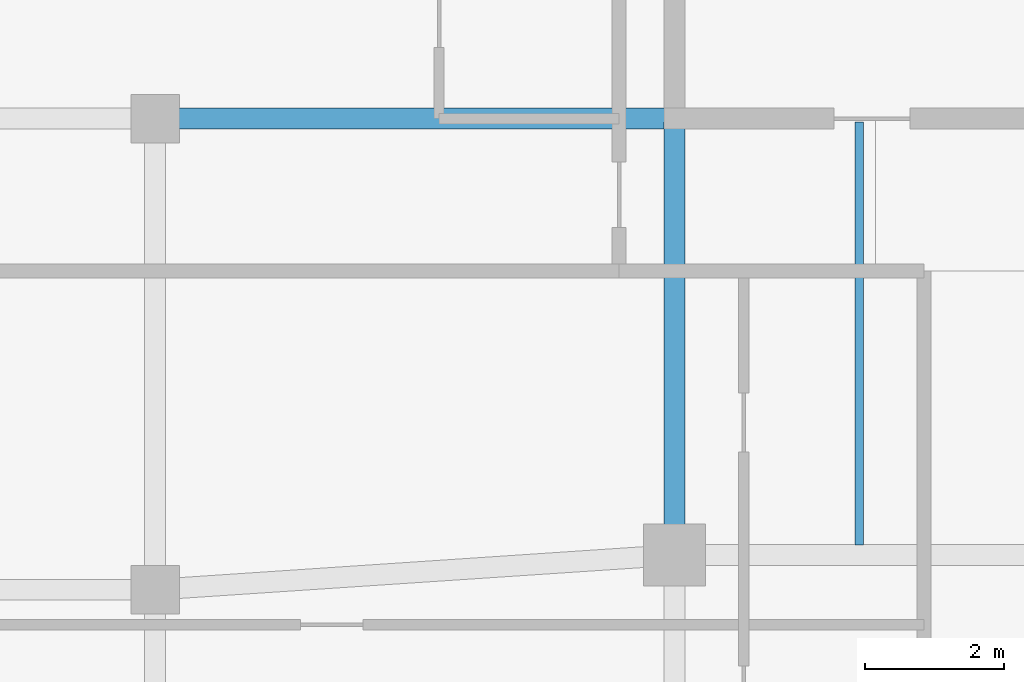
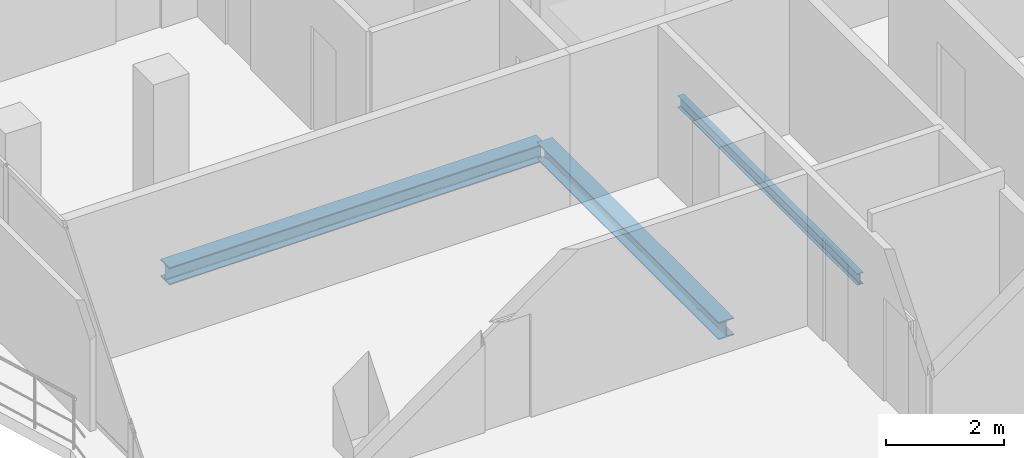
# One storey, part 11 of 22: 3 beams.
"""IFC4 building model written with IfcOpenShell, lengths in metres."""

from ifc_helpers import new_model, si_unit, direction, frame, origin, origin_2d, place, context, subcontext, project, spatial, i_section, extrude, material, material_profile, profile_set, type_object, element, save


model = new_model("IFC4")

# Units and contexts
model_context = context("Model", 3, precision=1e-05, world=origin(), true_north=direction((0.0, 1.0)))
body_context = subcontext(model_context, "Body", "Model", "MODEL_VIEW")
ifc_project = project(units=[si_unit("LENGTHUNIT", "METRE"), si_unit("AREAUNIT", "SQUARE_METRE"), si_unit("VOLUMEUNIT", "CUBIC_METRE"), si_unit("PLANEANGLEUNIT", "RADIAN"), si_unit("MASSUNIT", "GRAM", prefix="KILO")], contexts=[model_context])

# Site, building, storey
site_placement = place(None, origin())
site = spatial("IfcSite", under=ifc_project, at=site_placement, CompositionType="ELEMENT")
building_placement = place(site_placement, origin())
building = spatial("IfcBuilding", under=site, at=building_placement, Name="Catumbela Crestline Tower", CompositionType="ELEMENT")
storey_placement = place(building_placement, frame((0.0, 0.0, 256.4)))
storey = spatial("IfcBuildingStorey", under=building, at=storey_placement, Name="L66", CompositionType="ELEMENT", Elevation=256.4)

# Beams
ifc_material = material(Name="Structural steel S355J2", Category="steel")
ifc_material_profile_1 = material_profile(ifc_material, i_section(OverallWidth=0.3, OverallDepth=0.36, WebThickness=0.0125, FlangeThickness=0.0225, FilletRadius=0.027, at=origin_2d()), Name="HEB 360")
ifc_profile_set_1 = profile_set([ifc_material_profile_1], Name="Structural steel S355J2")
beam_type_1 = type_object("IfcBeamType", Name="BG-HEB360", PredefinedType="BEAM", material=ifc_profile_set_1)
beam_1_placement = place(storey_placement, frame((8.58, 30.8, -0.44), z_axis=(1.0, 0.0, 0.0), x_axis=(0.0, 1.0, 0.0)))
element("IfcBeam", 1, at=beam_1_placement, inside=storey, type_object=beam_type_1, Name="L66 Beam BM-L66-M07", PredefinedType="BEAM", context=body_context, shape_type="SweptSolid", body=[
    extrude(i_section(OverallWidth=0.3, OverallDepth=0.36, WebThickness=0.0125, FlangeThickness=0.0225, FilletRadius=0.027, at=origin_2d()), origin(), (0.0, 0.0, 1.0), 7.37),
])
beam_2_placement = place(storey_placement, frame((16.0, 24.58, -0.44), z_axis=(0.0, 1.0, 0.0), x_axis=(-1.0, 0.0, 0.0)))
element("IfcBeam", 2, at=beam_2_placement, inside=storey, type_object=beam_type_1, Name="L66 Beam BM-L66-SNS15", PredefinedType="BEAM", context=body_context, shape_type="SweptSolid", body=[
    extrude(i_section(OverallWidth=0.3, OverallDepth=0.36, WebThickness=0.0125, FlangeThickness=0.0225, FilletRadius=0.027, at=origin_2d()), origin(), (0.0, 0.0, 1.0), 6.17),
])
ifc_material_profile_2 = material_profile(ifc_material, i_section(OverallWidth=0.12, OverallDepth=0.24, WebThickness=0.0062, FlangeThickness=0.0098, FilletRadius=0.015, at=origin_2d()), Name="IPE 240")
ifc_profile_set_2 = profile_set([ifc_material_profile_2], Name="Structural steel S355J2")
beam_type_2 = type_object("IfcBeamType", Name="BJ-IPE240", PredefinedType="JOIST", material=ifc_profile_set_2)
beam_3_placement = place(storey_placement, frame((18.667, 24.647, -0.38), z_axis=(0.0, 1.0, 0.0), x_axis=(-1.0, 0.0, 0.0)))
element("IfcBeam", 3, at=beam_3_placement, inside=storey, type_object=beam_type_2, Name="L66 Joist JS-L66-SP21", PredefinedType="JOIST", context=body_context, shape_type="SweptSolid", body=[
    extrude(i_section(OverallWidth=0.12, OverallDepth=0.24, WebThickness=0.0062, FlangeThickness=0.0098, FilletRadius=0.015, at=origin_2d()), origin(), (0.0, 0.0, 1.0), 6.103),
])

save(model, "model.ifc")
